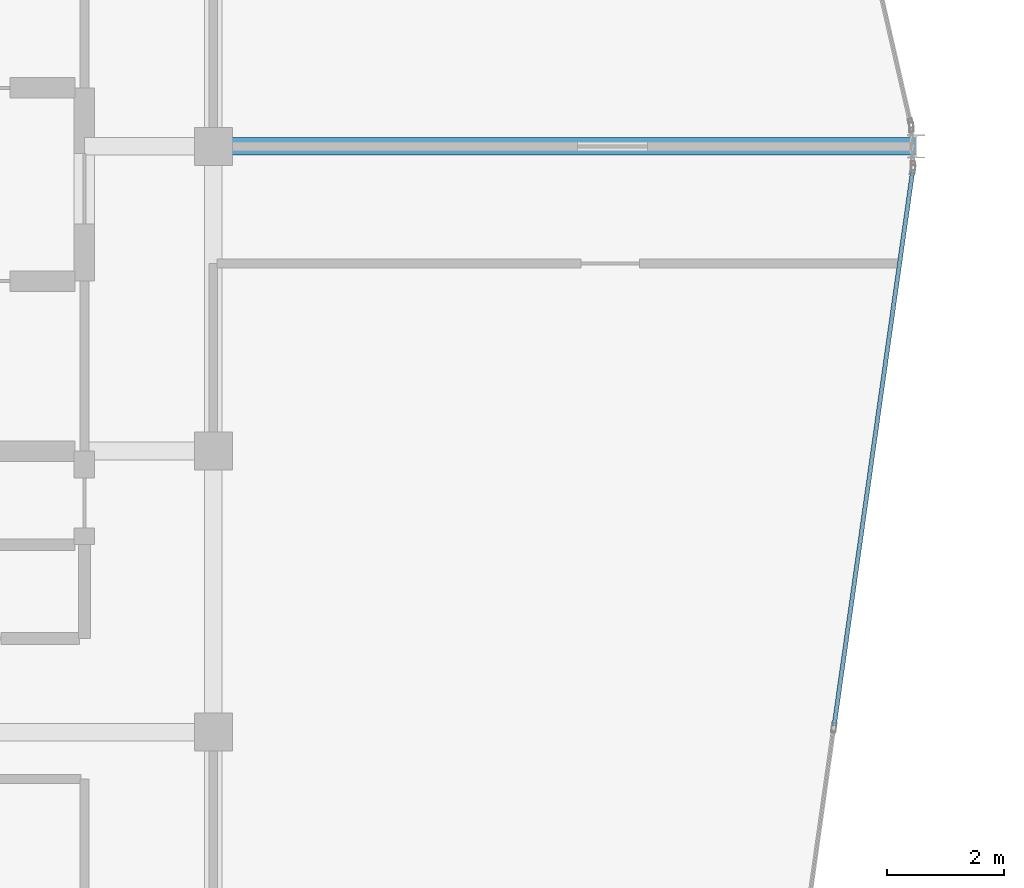
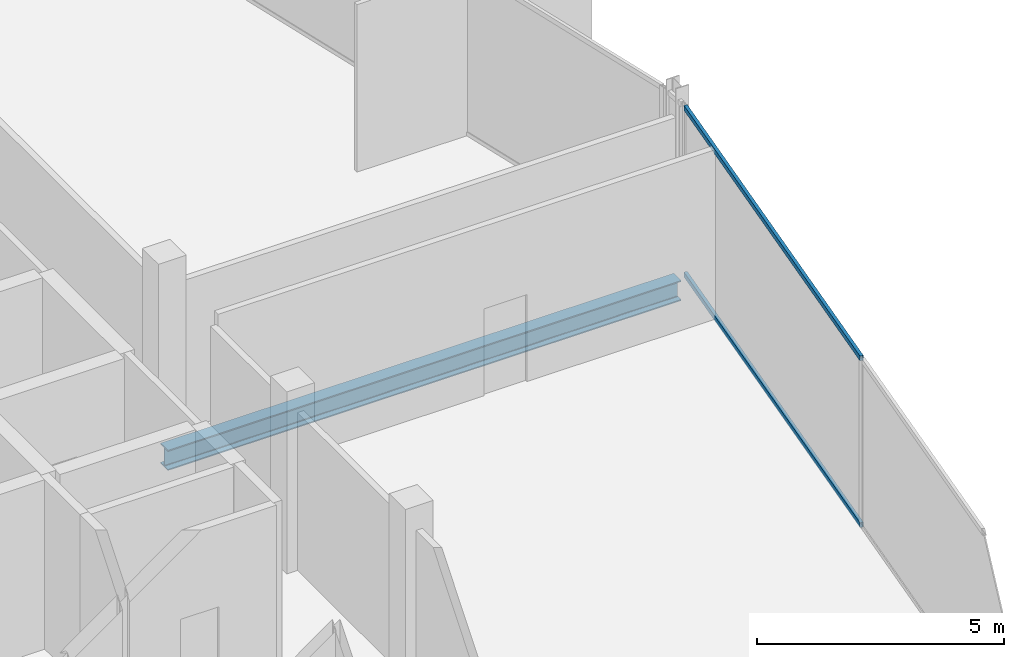
# One storey, part 12 of 24: 2 members, 1 beam, 1 element without a shape of its own.
"""IFC4 building model written with IfcOpenShell, lengths in metres."""

from ifc_helpers import new_model, si_unit, direction, frame, origin, origin_2d, place, context, subcontext, project, spatial, hollow_rectangle, i_section, extrude, material, layer, layer_set, material_profile, profile_set, type_object, element, aggregate, save


model = new_model("IFC4")

# Units and contexts
model_context = context("Model", 3, precision=1e-05, world=origin(), true_north=direction((0.0, 1.0)))
body_context = subcontext(model_context, "Body", "Model", "MODEL_VIEW")
ifc_project = project(units=[si_unit("LENGTHUNIT", "METRE"), si_unit("AREAUNIT", "SQUARE_METRE"), si_unit("VOLUMEUNIT", "CUBIC_METRE"), si_unit("PLANEANGLEUNIT", "RADIAN"), si_unit("MASSUNIT", "GRAM", prefix="KILO")], contexts=[model_context])

# Site, building, storey
site_placement = place(None, origin())
site = spatial("IfcSite", under=ifc_project, at=site_placement, CompositionType="ELEMENT")
building_placement = place(site_placement, origin())
building = spatial("IfcBuilding", under=site, at=building_placement, Name="Keshet Zoharim Tower", CompositionType="ELEMENT")
storey_placement = place(building_placement, frame((0.0, 0.0, 299.10009765625)))
storey = spatial("IfcBuildingStorey", under=building, at=storey_placement, Name="L75", CompositionType="ELEMENT", Elevation=299.10009765625)

# Beam
ifc_material_1 = material(Name="Steel S355", Category="steel")
ifc_material_profile_1 = material_profile(ifc_material_1, i_section(OverallWidth=0.300048828125, OverallDepth=0.5, WebThickness=0.014404296875, FlangeThickness=0.028076171875, FilletRadius=0.027099609375, at=origin_2d()), Name="HEB500")
ifc_profile_set_1 = profile_set([ifc_material_profile_1], Name="Steel S355")
beam_type = type_object("IfcBeamType", Name="BM-MED-HB500", PredefinedType="BEAM", material=ifc_profile_set_1)
beam_placement = place(storey_placement, frame((33.0, 27.89990234375, -0.570068359375), z_axis=(1.0, 0.0, 0.0), x_axis=(0.0, 1.0, 0.0)))
element("IfcBeam", 1, at=beam_placement, inside=storey, type_object=beam_type, Name="L75 Primary Girder X-007", PredefinedType="BEAM", context=body_context, shape_type="SweptSolid", body=[
    extrude(i_section(OverallWidth=0.300048828125, OverallDepth=0.5, WebThickness=0.014404296875, FlangeThickness=0.028076171875, FilletRadius=0.027099609375, at=origin_2d()), origin(), (0.0, 0.0, 1.0), 12.0),
])

# Curtain wall, members
ifc_material_2 = material(Name="Aluminium 6063-T6", Category="aluminium")
ifc_layer = layer(ifc_material_2, 0.260009765625)
ifc_layer_set = layer_set([ifc_layer], Name="Aluminium 6063-T6")
curtain_wall_type = type_object("IfcCurtainWallType", Name="CW-SYS-06", PredefinedType="NOTDEFINED", material=ifc_layer_set)
curtain_wall_placement = place(storey_placement, origin())
curtain_wall = element("IfcCurtainWall", 2, at=curtain_wall_placement, inside=storey, type_object=curtain_wall_type, Name="L75 Unitised Curtain Wall 09", PredefinedType="NOTDEFINED")
ifc_material_profile_2 = material_profile(ifc_material_2, hollow_rectangle(XDim=0.074951171875, YDim=0.1201171875, WallThickness=0.00390625, at=origin_2d()), Name="TRN-75x120")
ifc_profile_set_2 = profile_set([ifc_material_profile_2], Name="Aluminium 6063-T6")
member_type = type_object("IfcMemberType", Name="CWT-T12", PredefinedType="USERDEFINED", material=ifc_profile_set_2)
member_1_placement = place(storey_placement, frame((44.938232421875, 27.462646484375, 0.034912109375), z_axis=(-0.140150169695, -0.990130259074, 0.0), x_axis=(0.990130259074, -0.140150169695, 0.0)))
member_1 = element("IfcMember", 3, at=member_1_placement, type_object=member_type, Name="CW-06 transom 1.1", ObjectType="TRANSOM", PredefinedType="USERDEFINED", context=body_context, shape_type="SweptSolid", body=[
    extrude(hollow_rectangle(XDim=0.074951171875, YDim=0.1201171875, WallThickness=0.00390625, at=origin_2d()), origin(), (0.0, 0.0, 1.0), 9.546142578125),
])
member_2_placement = place(storey_placement, frame((44.938232421875, 27.462646484375, 4.15478515625), z_axis=(-0.140150169695, -0.990130259074, 0.0), x_axis=(0.990130259074, -0.140150169695, 0.0)))
member_2 = element("IfcMember", 4, at=member_2_placement, type_object=member_type, Name="CW-06 transom 1.2", ObjectType="TRANSOM", PredefinedType="USERDEFINED", context=body_context, shape_type="SweptSolid", body=[
    extrude(hollow_rectangle(XDim=0.074951171875, YDim=0.1201171875, WallThickness=0.00390625, at=origin_2d()), origin(), (0.0, 0.0, 1.0), 9.546142578125),
])
aggregate(curtain_wall, [member_1, member_2])

save(model, "model.ifc")
